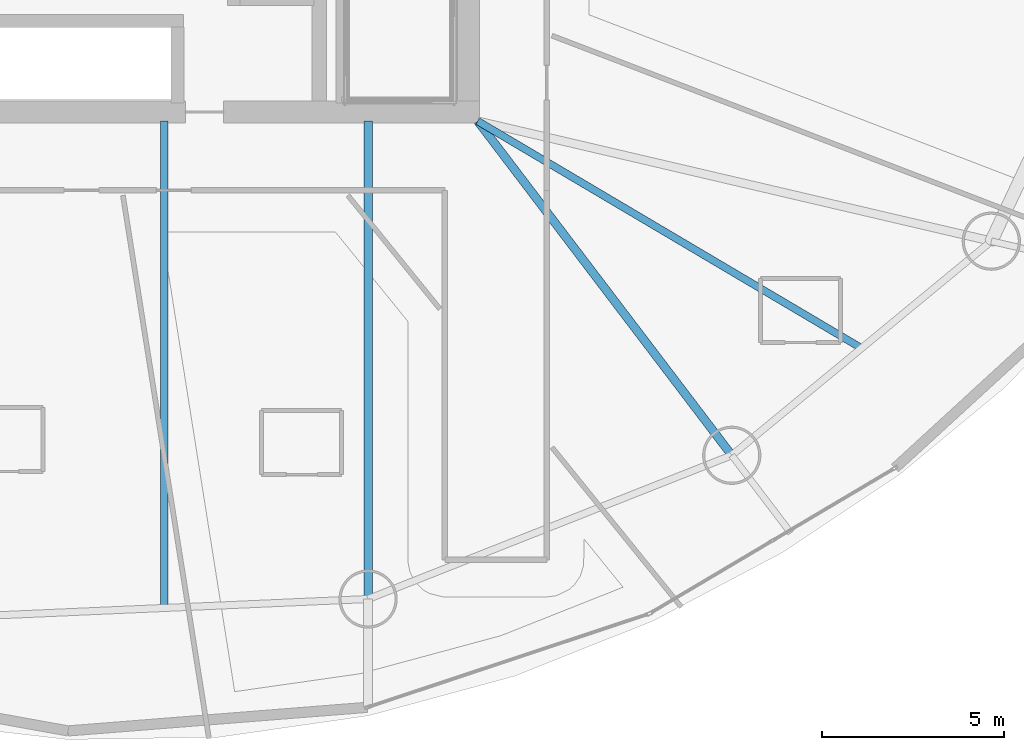
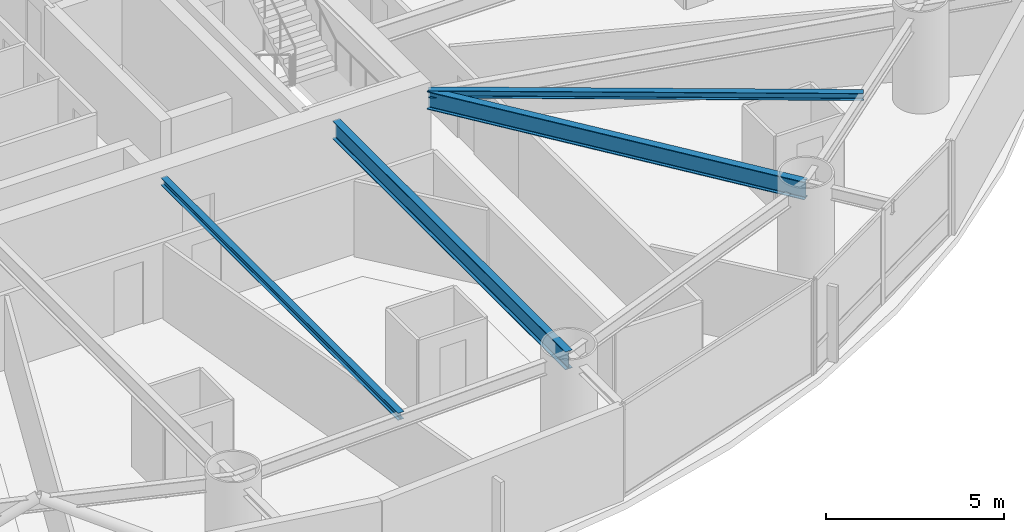
# One storey, part 7 of 25: 4 beams.
"""IFC4 building model written with IfcOpenShell, lengths in metres."""

from ifc_helpers import new_model, si_unit, direction, frame, origin, origin_2d, place, context, subcontext, project, spatial, i_section, extrude, material, material_profile, profile_set, type_object, element, save


model = new_model("IFC4")

# Units and contexts
model_context = context("Model", 3, precision=1e-05, world=origin(), true_north=direction((0.0, 1.0)))
body_context = subcontext(model_context, "Body", "Model", "MODEL_VIEW")
ifc_project = project(units=[si_unit("LENGTHUNIT", "METRE"), si_unit("AREAUNIT", "SQUARE_METRE"), si_unit("VOLUMEUNIT", "CUBIC_METRE"), si_unit("PLANEANGLEUNIT", "RADIAN"), si_unit("MASSUNIT", "GRAM", prefix="KILO")], contexts=[model_context])

# Site, building, storey
site_placement = place(None, origin())
site = spatial("IfcSite", under=ifc_project, at=site_placement, CompositionType="ELEMENT")
building_placement = place(site_placement, origin())
building = spatial("IfcBuilding", under=site, at=building_placement, Name="Bramvorn Convention Spire", CompositionType="ELEMENT")
storey_placement = place(building_placement, frame((0.0, 0.0, 48.39990234375)))
storey = spatial("IfcBuildingStorey", under=building, at=storey_placement, Name="L09", CompositionType="ELEMENT", Elevation=48.39990234375)

# Beams
ifc_material = material(Name="Steel CSA G40.21 Grade 350 (350W)", Category="steel")
ifc_material_profile_1 = material_profile(ifc_material, i_section(OverallWidth=0.201904296875, OverallDepth=0.2470703125, WebThickness=0.00732421875, FlangeThickness=0.010986328125, FilletRadius=0.011962890625, at=origin_2d()))
ifc_profile_set_1 = profile_set([ifc_material_profile_1], Name="Steel CSA G40.21 Grade 350 (350W) - W250X49")
beam_type_1 = type_object("IfcBeamType", Name="BM-W250X49", PredefinedType="JOIST", material=ifc_profile_set_1)
beam_1_placement = place(storey_placement, frame((40.638427734375, 18.550048828125, 3.126708984375), z_axis=(0.0, -1.0, 0.0), x_axis=(1.0, 0.0, 0.0)))
element("IfcBeam", 1, at=beam_1_placement, inside=storey, type_object=beam_type_1, Name="L09 composite floor joist 13", PredefinedType="JOIST", context=body_context, shape_type="SweptSolid", body=[
    extrude(i_section(OverallWidth=0.201904296875, OverallDepth=0.2470703125, WebThickness=0.00732421875, FlangeThickness=0.010986328125, FilletRadius=0.011962890625, at=origin_2d()), origin(), (0.0, 0.0, 1.0), 13.372802734375),
])
beam_2_placement = place(storey_placement, frame((49.25, 18.550048828125, 3.126708984375), z_axis=(0.860664556648, -0.509172388223, 0.0), x_axis=(0.509172388223, 0.860664556648, 0.0)))
element("IfcBeam", 2, at=beam_2_placement, inside=storey, type_object=beam_type_1, Name="L09 composite floor joist 15", PredefinedType="JOIST", context=body_context, shape_type="SweptSolid", body=[
    extrude(i_section(OverallWidth=0.201904296875, OverallDepth=0.2470703125, WebThickness=0.00732421875, FlangeThickness=0.010986328125, FilletRadius=0.011962890625, at=origin_2d()), origin(), (0.0, 0.0, 1.0), 12.25048828125),
])
ifc_material_profile_2 = material_profile(ifc_material, i_section(OverallWidth=0.22998046875, OverallDepth=0.616943359375, WebThickness=0.01318359375, FlangeThickness=0.022216796875, FilletRadius=0.02001953125, at=origin_2d()))
ifc_profile_set_2 = profile_set([ifc_material_profile_2], Name="Steel CSA G40.21 Grade 350 (350W) - W610X140")
beam_type_2 = type_object("IfcBeamType", Name="BM-W610X140", PredefinedType="BEAM", material=ifc_profile_set_2)
beam_3_placement = place(storey_placement, frame((46.23779296875, 18.550048828125, 2.941650390625), z_axis=(0.0, -1.0, 0.0), x_axis=(1.0, 0.0, 0.0)))
element("IfcBeam", 3, at=beam_3_placement, inside=storey, type_object=beam_type_2, Name="L09 radial floor girder MC14", PredefinedType="BEAM", context=body_context, shape_type="SweptSolid", body=[
    extrude(i_section(OverallWidth=0.22998046875, OverallDepth=0.616943359375, WebThickness=0.01318359375, FlangeThickness=0.022216796875, FilletRadius=0.02001953125, at=origin_2d()), origin(), (0.0, 0.0, 1.0), 13.126708984375),
])
beam_4_placement = place(storey_placement, frame((49.25, 18.550048828125, 2.926513671875), z_axis=(0.605191175112, -0.796080172826, 0.0), x_axis=(0.796080172826, 0.605191175112, 0.0)))
element("IfcBeam", 4, at=beam_4_placement, inside=storey, type_object=beam_type_2, Name="L09 Sky-Garden back-span radial girder MC15", PredefinedType="BEAM", context=body_context, shape_type="SweptSolid", body=[
    extrude(i_section(OverallWidth=0.22998046875, OverallDepth=0.616943359375, WebThickness=0.01318359375, FlangeThickness=0.022216796875, FilletRadius=0.02001953125, at=origin_2d()), origin(), (0.0, 0.0, 1.0), 11.52978515625),
])

save(model, "model.ifc")
